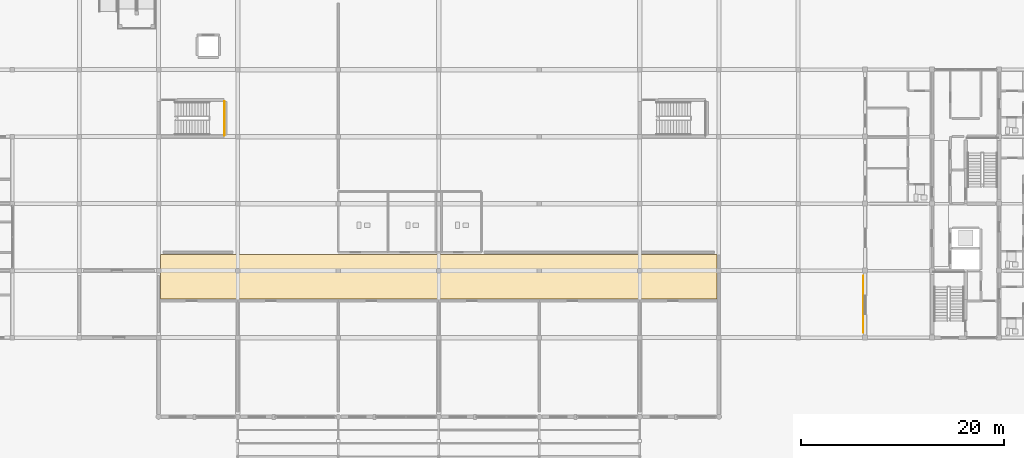
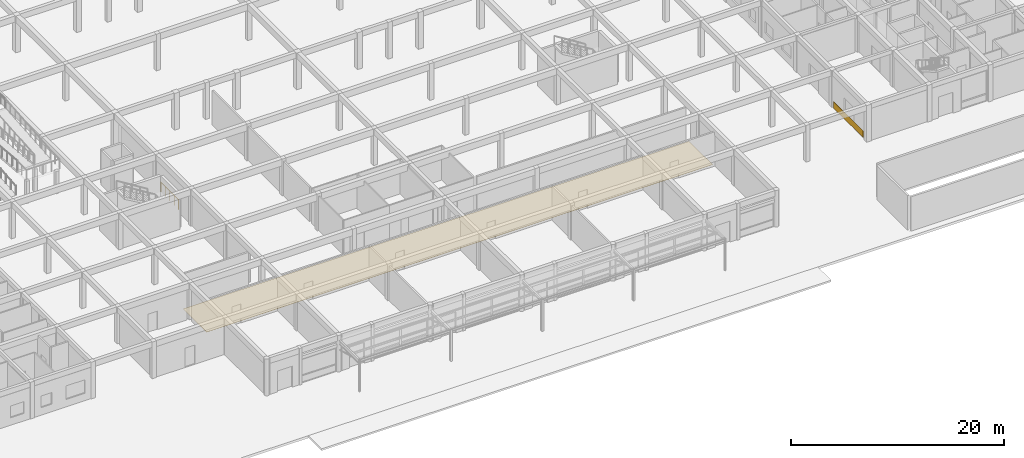
# One storey, part 67 of 75: 2 coverings, 1 railing.
"""IFC4 building model written with IfcOpenShell, lengths in metres."""

from ifc_helpers import new_model, si_unit, direction, frame, origin, origin_2d, place, context, subcontext, project, spatial, polyline, rectangle, circle, outline, extrude, material, layer, layer_set, type_object, element, save


model = new_model("IFC4")

# Units and contexts
model_context = context("Model", 3, precision=1e-05, world=origin(), true_north=direction((0.0, 1.0)))
body_context = subcontext(model_context, "Body", "Model", "MODEL_VIEW")
ifc_project = project(units=[si_unit("LENGTHUNIT", "METRE"), si_unit("AREAUNIT", "SQUARE_METRE"), si_unit("VOLUMEUNIT", "CUBIC_METRE"), si_unit("PLANEANGLEUNIT", "RADIAN"), si_unit("MASSUNIT", "GRAM", prefix="KILO")], contexts=[model_context])

# Site, building, storey
site_placement = place(None, origin())
site = spatial("IfcSite", under=ifc_project, at=site_placement, CompositionType="ELEMENT")
building_placement = place(site_placement, origin())
building = spatial("IfcBuilding", under=site, at=building_placement, Name="Kernevlak Ridge Housing Community", CompositionType="ELEMENT")
storey_placement = place(building_placement, origin())
storey = spatial("IfcBuildingStorey", under=building, at=storey_placement, Name="L00", CompositionType="ELEMENT", Elevation=0.0)

# Coverings
ifc_material_1 = material(Name="Polished pale terrazzo tile flooring")
ifc_layer_1 = layer(ifc_material_1, 0.02490234375, Name="Polished pale terrazzo tile flooring")
ifc_layer_set_1 = layer_set([ifc_layer_1], Name="Polished pale terrazzo tile flooring")
covering_type_1 = type_object("IfcCoveringType", Name="CV-02", PredefinedType="FLOORING", material=ifc_layer_set_1)
covering_1_placement = place(storey_placement, origin())
element("IfcCovering", 1, at=covering_1_placement, inside=storey, type_object=covering_type_1, Name="Market Arcade terrazzo floor finish", PredefinedType="FLOORING", context=body_context, shape_type="SweptSolid", body=[
    extrude(outline(polyline([(56.60009765625, 19.39990234375), (111.39990234375, 19.39990234375), (111.39990234375, 23.800048828125), (56.60009765625, 23.800048828125), (56.60009765625, 19.39990234375)])), origin(), (0.0, 0.0, 1.0), 0.02490234375),
])
ifc_material_2 = material(Name="Aluminium EN AW-5005 enamelled cladding", Category="aluminium")
ifc_layer_2 = layer(ifc_material_2, 0.030029296875, Name="Aluminium EN AW-5005 enamelled cladding")
ifc_layer_set_2 = layer_set([ifc_layer_2], Name="Aluminium EN AW-5005 enamelled cladding")
covering_type_2 = type_object("IfcCoveringType", Name="CV-04", PredefinedType="CLADDING", material=ifc_layer_set_2)
covering_2_placement = place(storey_placement, frame((125.81494140625, 18.89990234375, 0.074951171875), z_axis=(0.0, 0.0, 1.0), x_axis=(0.0, 1.0, 0.0)))
element("IfcCovering", 2, at=covering_2_placement, inside=storey, type_object=covering_type_2, Name="Block C L00 De Stijl blue spandrel cladding", PredefinedType="CLADDING", context=body_context, shape_type="SweptSolid", body=[
    extrude(rectangle(XDim=5.60009765625, YDim=0.030029296875, at=origin_2d()), origin(), (0.0, 0.0, 1.0), 0.75),
])

# Railing
ifc_material_3 = material(Name="Steel S355", Category="steel")
railing_type = type_object("IfcRailingType", Name="GR-02", PredefinedType="GUARDRAIL", material=ifc_material_3)
railing_placement = place(storey_placement, frame((62.8798828125, 35.52001953125, 2.10009765625)))
element("IfcRailing", 3, at=railing_placement, inside=storey, type_object=railing_type, Name="Stair ST-P1 L00 half-landing guard", PredefinedType="GUARDRAIL", context=body_context, shape_type="SweptSolid", body=[
    extrude(circle(Radius=0.02392578125, at=origin_2d()), frame((0.0, 0.0, 1.09619140625), z_axis=(0.0, 1.0, 0.0), x_axis=(-1.0, 0.0, 0.0)), (0.0, 0.0, 1.0), 3.35986328125),
    extrude(circle(Radius=0.02099609375, at=origin_2d()), origin(), (0.0, 0.0, 1.0), 1.072021484375),
    extrude(circle(Radius=0.02099609375, at=origin_2d()), frame((0.0, 0.83984375, 0.0)), (0.0, 0.0, 1.0), 1.072021484375),
    extrude(circle(Radius=0.02099609375, at=origin_2d()), frame((0.0, 1.679931640625, 0.0)), (0.0, 0.0, 1.0), 1.072021484375),
    extrude(circle(Radius=0.02099609375, at=origin_2d()), frame((0.0, 2.52001953125, 0.0)), (0.0, 0.0, 1.0), 1.072021484375),
    extrude(circle(Radius=0.02099609375, at=origin_2d()), frame((0.0, 3.35986328125, 0.0)), (0.0, 0.0, 1.0), 1.072021484375),
])

save(model, "model.ifc")
